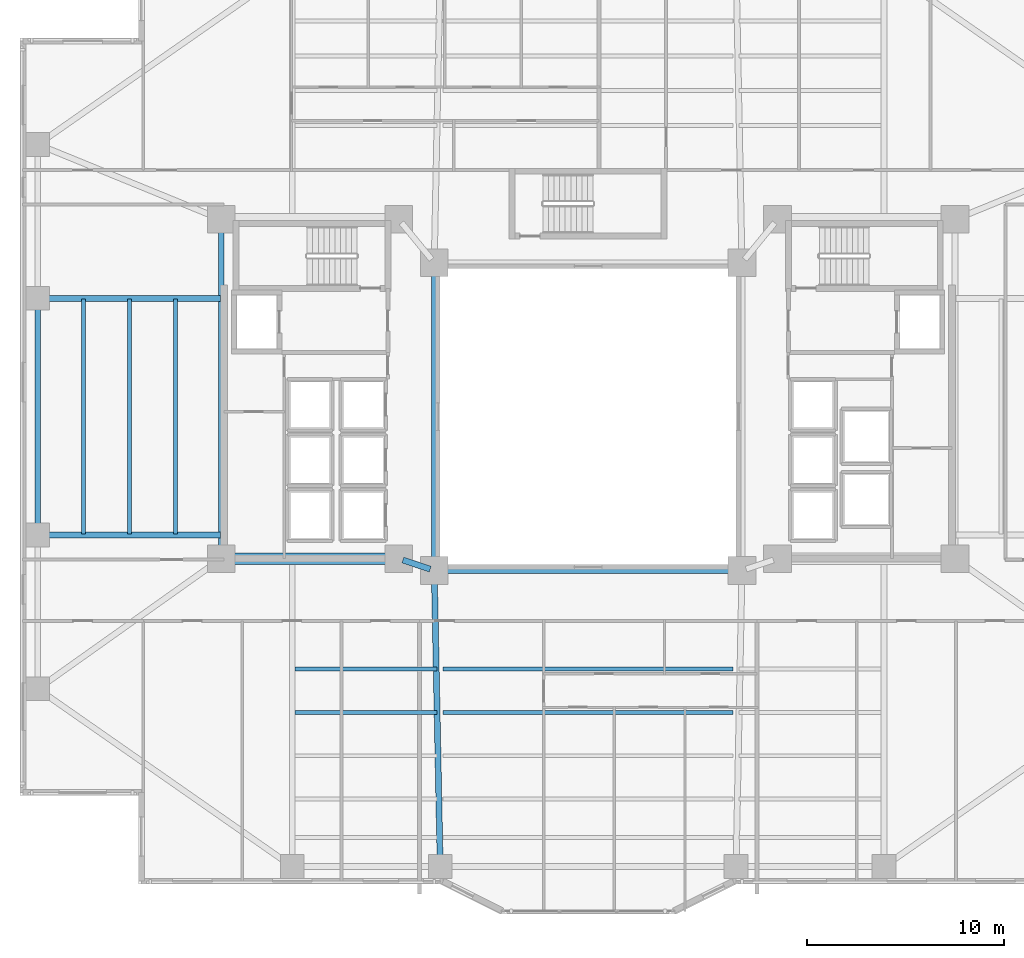
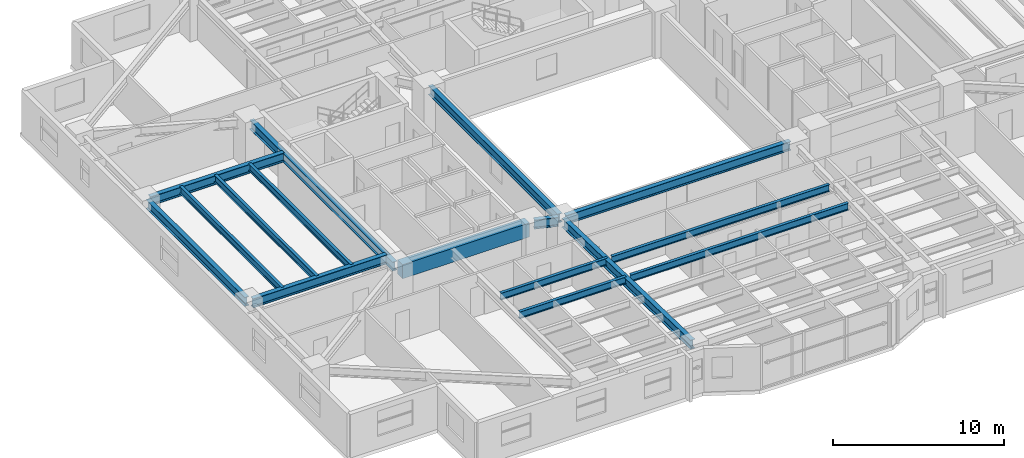
# One storey, part 3 of 19: 16 beams.
"""IFC4 building model written with IfcOpenShell, lengths in metres."""

from ifc_helpers import new_model, si_unit, direction, frame, origin, origin_2d, place, context, subcontext, project, spatial, rectangle, i_section, extrude, material, material_profile, profile_set, type_object, element, save


model = new_model("IFC4")

# Units and contexts
model_context = context("Model", 3, precision=1e-05, world=origin(), true_north=direction((0.0, 1.0)))
body_context = subcontext(model_context, "Body", "Model", "MODEL_VIEW")
ifc_project = project(units=[si_unit("LENGTHUNIT", "METRE"), si_unit("AREAUNIT", "SQUARE_METRE"), si_unit("VOLUMEUNIT", "CUBIC_METRE"), si_unit("PLANEANGLEUNIT", "RADIAN"), si_unit("MASSUNIT", "GRAM", prefix="KILO")], contexts=[model_context])

# Site, building, storey
site_placement = place(None, origin())
site = spatial("IfcSite", under=ifc_project, at=site_placement, CompositionType="ELEMENT")
building_placement = place(site_placement, origin())
building = spatial("IfcBuilding", under=site, at=building_placement, Name="Tarnavaz Court Tower", CompositionType="ELEMENT")
storey_placement = place(building_placement, frame((0.0, 0.0, 50.800048828125)))
storey = spatial("IfcBuildingStorey", under=building, at=storey_placement, Name="L13", CompositionType="ELEMENT", Elevation=50.800048828125)

# Beams
ifc_material_1 = material(Name="Concrete C60/75", Category="concrete")
ifc_material_profile_1 = material_profile(ifc_material_1, rectangle(XDim=0.60009765625, YDim=1.0, at=origin_2d()), Name="RC 600X1000")
ifc_profile_set_1 = profile_set([ifc_material_profile_1], Name="Concrete C60/75")
beam_type_1 = type_object("IfcBeamType", Name="BM-CB1000", PredefinedType="LINTEL", material=ifc_profile_set_1)
beam_1_placement = place(storey_placement, frame((-18.3798828125, -7.199951171875, 2.599853515625), z_axis=(1.0, 0.0, 0.0), x_axis=(0.0, 1.0, 0.0)))
element("IfcBeam", 1, at=beam_1_placement, inside=storey, type_object=beam_type_1, Name="L13 Beam IN-CW-SO-CW-SI", PredefinedType="LINTEL", context=body_context, shape_type="SweptSolid", body=[
    extrude(rectangle(XDim=0.60009765625, YDim=1.0, at=origin_2d()), origin(), (0.0, 0.0, 1.0), 8.559814453125),
])
ifc_material_2 = material(Name="Steel S355", Category="steel")
ifc_material_profile_2 = material_profile(ifc_material_2, i_section(OverallWidth=0.300048828125, OverallDepth=0.64990234375, WebThickness=0.01611328125, FlangeThickness=0.031005859375, FilletRadius=0.027099609375, at=origin_2d()), Name="HEB 650")
ifc_profile_set_2 = profile_set([ifc_material_profile_2], Name="Steel S355")
beam_type_2 = type_object("IfcBeamType", Name="BM-G-HEB650", PredefinedType="USERDEFINED", material=ifc_profile_set_2)
beam_2_placement = place(storey_placement, frame((-9.391357421875, -7.26953125, 2.77490234375), z_axis=(0.948666544706, -0.316278021615, 0.0), x_axis=(0.316278021615, 0.948666544706, 0.0)))
element("IfcBeam", 2, at=beam_2_placement, inside=storey, type_object=beam_type_2, Name="L13 Beam IN-CW-SI-IW-SW", ObjectType="GIRDER", PredefinedType="USERDEFINED", context=body_context, shape_type="SweptSolid", body=[
    extrude(i_section(OverallWidth=0.300048828125, OverallDepth=0.64990234375, WebThickness=0.01611328125, FlangeThickness=0.031005859375, FilletRadius=0.027099609375, at=origin_2d()), origin(), (0.0, 0.0, 1.0), 1.457275390625),
])
beam_3_placement = place(storey_placement, frame((-18.60009765625, -6.97998046875, 2.77490234375), z_axis=(0.0, 1.0, 0.0), x_axis=(-1.0, 0.0, 0.0)))
element("IfcBeam", 3, at=beam_3_placement, inside=storey, type_object=beam_type_2, Name="L13 Beam IN-CW-SO-CW-NO", ObjectType="GIRDER", PredefinedType="USERDEFINED", context=body_context, shape_type="SweptSolid", body=[
    extrude(i_section(OverallWidth=0.300048828125, OverallDepth=0.64990234375, WebThickness=0.01611328125, FlangeThickness=0.031005859375, FilletRadius=0.027099609375, at=origin_2d()), origin(), (0.0, 0.0, 1.0), 16.760009765625),
])
beam_4_placement = place(storey_placement, frame((-7.795654296875, -8.02001953125, 2.77490234375), z_axis=(0.020000023066, -0.999799979535, 0.0), x_axis=(0.999799979535, 0.020000023066, 0.0)))
element("IfcBeam", 4, at=beam_4_placement, inside=storey, type_object=beam_type_2, Name="L13 Beam RG-06", ObjectType="GIRDER", PredefinedType="USERDEFINED", context=body_context, shape_type="SweptSolid", body=[
    extrude(i_section(OverallWidth=0.300048828125, OverallDepth=0.64990234375, WebThickness=0.01611328125, FlangeThickness=0.031005859375, FilletRadius=0.027099609375, at=origin_2d()), origin(), (0.0, 0.0, 1.0), 14.56298828125),
])
for number, where, z_axis, x_axis, name in (
    (5, (-18.639892578125, -6.0, 2.77490234375), (-1.0, 0.0, 0.0), (0.0, -1.0, 0.0), "L13 Beam RG-13"),
    (6, (-18.639892578125, 6.0, 2.77490234375), (-1.0, 0.0, 0.0), (0.0, -1.0, 0.0), "L13 Beam RG-14"),
):
    element("IfcBeam", number, at=place(storey_placement, frame(where, z_axis=z_axis, x_axis=x_axis)), inside=storey, type_object=beam_type_2, Name=name, ObjectType="GIRDER", PredefinedType="USERDEFINED", context=body_context, shape_type="SweptSolid", body=[
        extrude(i_section(OverallWidth=0.300048828125, OverallDepth=0.64990234375, WebThickness=0.01611328125, FlangeThickness=0.031005859375, FilletRadius=0.027099609375, at=origin_2d()), origin(), (0.0, 0.0, 1.0), 9.0400390625),
    ])
ifc_material_profile_3 = material_profile(ifc_material_2, i_section(OverallWidth=0.199951171875, OverallDepth=0.5, WebThickness=0.01025390625, FlangeThickness=0.01611328125, FilletRadius=0.02099609375, at=origin_2d()), Name="IPE 500")
ifc_profile_set_3 = profile_set([ifc_material_profile_3], Name="Steel S355")
beam_type_3 = type_object("IfcBeamType", Name="BM-J-IPE500", PredefinedType="JOIST", material=ifc_profile_set_3)
beam_5_placement = place(storey_placement, frame((-14.85009765625, -12.7958984375, 2.849853515625), z_axis=(1.0, 0.0, 0.0), x_axis=(0.0, 1.0, 0.0)))
element("IfcBeam", 7, at=beam_5_placement, inside=storey, type_object=beam_type_3, Name="L13 Beam JS1-1", PredefinedType="JOIST", context=body_context, shape_type="SweptSolid", body=[
    extrude(i_section(OverallWidth=0.199951171875, OverallDepth=0.5, WebThickness=0.01025390625, FlangeThickness=0.01611328125, FilletRadius=0.02099609375, at=origin_2d()), origin(), (0.0, 0.0, 1.0), 7.2001953125),
])
beam_6_placement = place(storey_placement, frame((-7.35009765625, -12.7958984375, 2.849853515625), z_axis=(1.0, 0.0, 0.0), x_axis=(0.0, 1.0, 0.0)))
element("IfcBeam", 8, at=beam_6_placement, inside=storey, type_object=beam_type_3, Name="L13 Beam JS1-2", PredefinedType="JOIST", context=body_context, shape_type="SweptSolid", body=[
    extrude(i_section(OverallWidth=0.199951171875, OverallDepth=0.5, WebThickness=0.01025390625, FlangeThickness=0.01611328125, FilletRadius=0.02099609375, at=origin_2d()), origin(), (0.0, 0.0, 1.0), 14.7001953125),
])
beam_7_placement = place(storey_placement, frame((-14.85009765625, -14.991943359375, 2.849853515625), z_axis=(1.0, 0.0, 0.0), x_axis=(0.0, 1.0, 0.0)))
element("IfcBeam", 9, at=beam_7_placement, inside=storey, type_object=beam_type_3, Name="L13 Beam JS2-1", PredefinedType="JOIST", context=body_context, shape_type="SweptSolid", body=[
    extrude(i_section(OverallWidth=0.199951171875, OverallDepth=0.5, WebThickness=0.01025390625, FlangeThickness=0.01611328125, FilletRadius=0.02099609375, at=origin_2d()), origin(), (0.0, 0.0, 1.0), 7.2001953125),
])
beam_8_placement = place(storey_placement, frame((-7.35009765625, -14.991943359375, 2.849853515625), z_axis=(1.0, 0.0, 0.0), x_axis=(0.0, 1.0, 0.0)))
element("IfcBeam", 10, at=beam_8_placement, inside=storey, type_object=beam_type_3, Name="L13 Beam JS2-2", PredefinedType="JOIST", context=body_context, shape_type="SweptSolid", body=[
    extrude(i_section(OverallWidth=0.199951171875, OverallDepth=0.5, WebThickness=0.01025390625, FlangeThickness=0.01611328125, FilletRadius=0.02099609375, at=origin_2d()), origin(), (0.0, 0.0, 1.0), 14.7001953125),
])
for number, where, z_axis, x_axis, name in (
    (11, (-20.925048828125, -5.9599609375, 2.849853515625), (0.0, 1.0, 0.0), (-1.0, 0.0, 0.0), "L13 Beam JW1"),
    (12, (-23.25, -5.9599609375, 2.849853515625), (0.0, 1.0, 0.0), (-1.0, 0.0, 0.0), "L13 Beam JW2"),
    (13, (-25.574951171875, -5.9599609375, 2.849853515625), (0.0, 1.0, 0.0), (-1.0, 0.0, 0.0), "L13 Beam JW3"),
):
    element("IfcBeam", number, at=place(storey_placement, frame(where, z_axis=z_axis, x_axis=x_axis)), inside=storey, type_object=beam_type_3, Name=name, PredefinedType="JOIST", context=body_context, shape_type="SweptSolid", body=[
        extrude(i_section(OverallWidth=0.199951171875, OverallDepth=0.5, WebThickness=0.01025390625, FlangeThickness=0.01611328125, FilletRadius=0.02099609375, at=origin_2d()), origin(), (0.0, 0.0, 1.0), 11.919921875),
    ])
ifc_material_profile_4 = material_profile(ifc_material_2, i_section(OverallWidth=0.300048828125, OverallDepth=0.639892578125, WebThickness=0.013427734375, FlangeThickness=0.02587890625, FilletRadius=0.027099609375, at=origin_2d()), Name="HEA 650")
ifc_profile_set_4 = profile_set([ifc_material_profile_4], Name="Steel S355")
beam_type_4 = type_object("IfcBeamType", Name="BM-SP-HEA650", PredefinedType="SPANDREL", material=ifc_profile_set_4)
for number, where, z_axis, x_axis, name in (
    (14, (-7.580078125, -7.800048828125, 2.780029296875), (1.0, 0.0, 0.0), (0.0, 1.0, 0.0), "L13 Beam IN-IW-SW-IW-SE"),
    (15, (-7.800048828125, -7.580078125, 2.780029296875), (0.0, 1.0, 0.0), (-1.0, 0.0, 0.0), "L13 Beam IN-IW-SW-IW-NW"),
):
    element("IfcBeam", number, at=place(storey_placement, frame(where, z_axis=z_axis, x_axis=x_axis)), inside=storey, type_object=beam_type_4, Name=name, PredefinedType="SPANDREL", context=body_context, shape_type="SweptSolid", body=[
        extrude(i_section(OverallWidth=0.300048828125, OverallDepth=0.639892578125, WebThickness=0.013427734375, FlangeThickness=0.02587890625, FilletRadius=0.027099609375, at=origin_2d()), origin(), (0.0, 0.0, 1.0), 15.16015625),
    ])
beam_9_placement = place(storey_placement, frame((-27.89990234375, -5.780029296875, 2.780029296875), z_axis=(0.0, 1.0, 0.0), x_axis=(-1.0, 0.0, 0.0)))
element("IfcBeam", 16, at=beam_9_placement, inside=storey, type_object=beam_type_4, Name="L13 Beam PR-PW-2-PW-3", PredefinedType="SPANDREL", context=body_context, shape_type="SweptSolid", body=[
    extrude(i_section(OverallWidth=0.300048828125, OverallDepth=0.639892578125, WebThickness=0.013427734375, FlangeThickness=0.02587890625, FilletRadius=0.027099609375, at=origin_2d()), origin(), (0.0, 0.0, 1.0), 11.56005859375),
])

save(model, "model.ifc")
